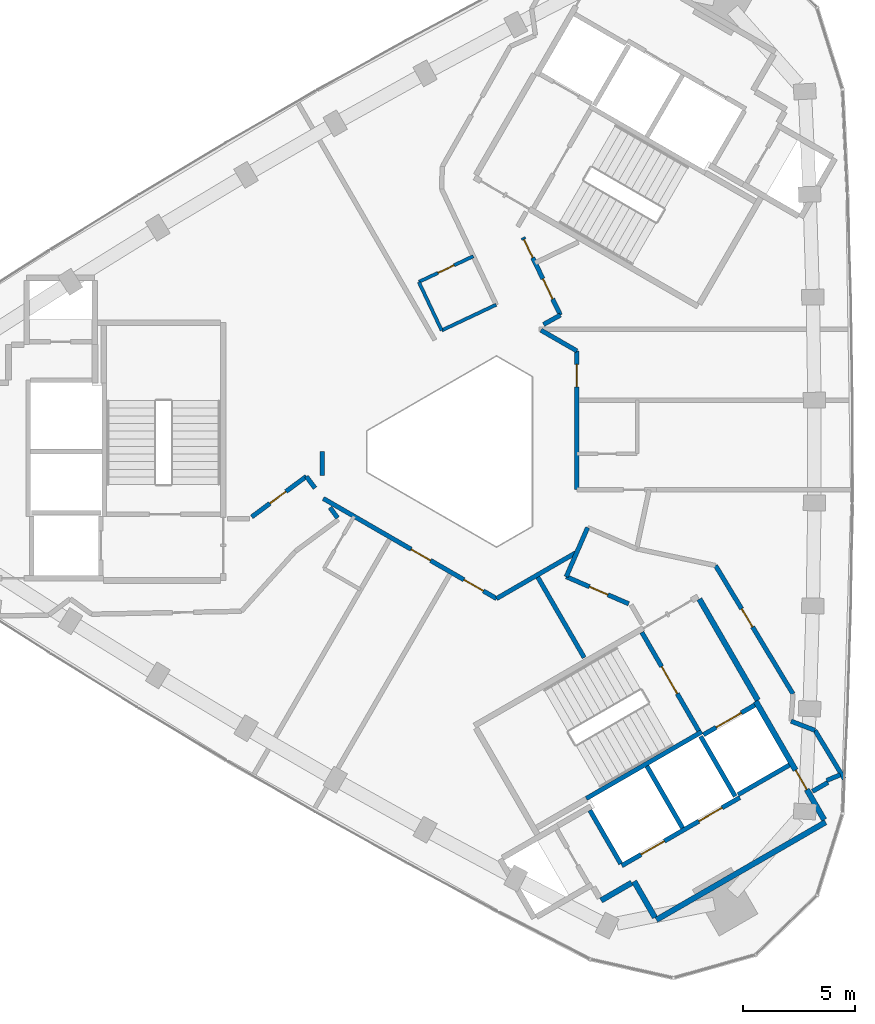
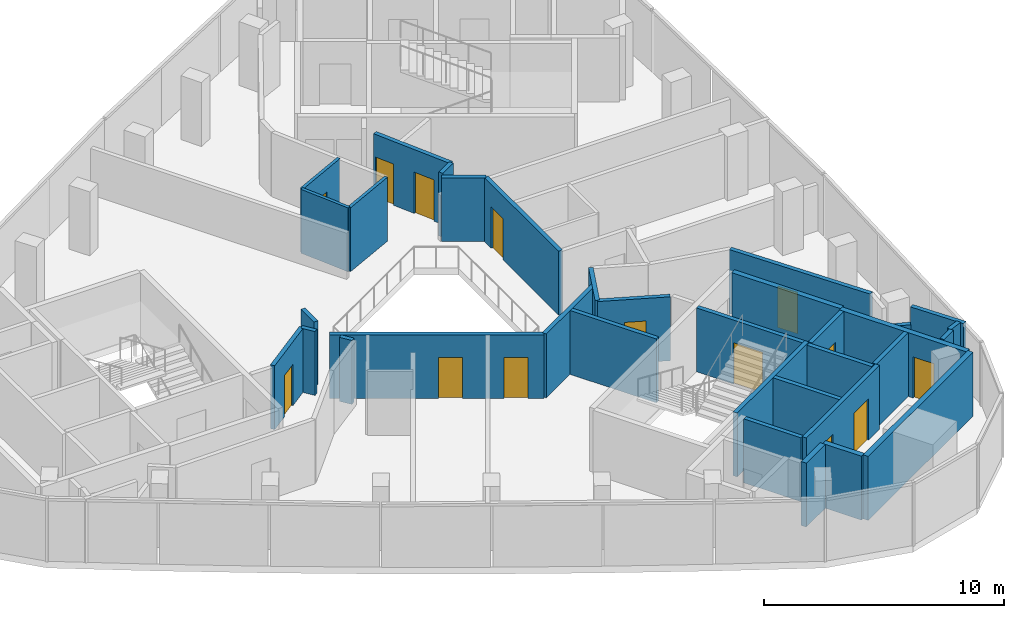
# One storey, part 7 of 10: 34 walls, 14 doors, 14 openings.
"""IFC4 building model written with IfcOpenShell, lengths in metres."""

from ifc_helpers import new_model, si_unit, direction, frame, frame_2d, origin, place, context, subcontext, project, spatial, rectangle, extrude, material, layer, layer_set, type_object, element, fill, save


model = new_model("IFC4")

# Units and contexts
model_context = context("Model", 3, precision=1e-05, world=origin(), true_north=direction((0.0, 1.0)))
body_context = subcontext(model_context, "Body", "Model", "MODEL_VIEW")
ifc_project = project(units=[si_unit("LENGTHUNIT", "METRE"), si_unit("AREAUNIT", "SQUARE_METRE"), si_unit("VOLUMEUNIT", "CUBIC_METRE"), si_unit("PLANEANGLEUNIT", "RADIAN"), si_unit("MASSUNIT", "GRAM", prefix="KILO")], contexts=[model_context])

# Site, building, storey
site_placement = place(None, origin())
site = spatial("IfcSite", under=ifc_project, at=site_placement, CompositionType="ELEMENT")
building_placement = place(site_placement, origin())
building = spatial("IfcBuilding", under=site, at=building_placement, Name="Tamra Quay Hotel Tower", CompositionType="ELEMENT")
storey_placement = place(building_placement, frame((0.0, 0.0, 265.800048828125)))
storey = spatial("IfcBuildingStorey", under=building, at=storey_placement, Name="L67", CompositionType="ELEMENT", Elevation=265.800048828125)

# Wall
ifc_material_1 = material(Name="Concrete M70", Category="concrete")
ifc_layer_1 = layer(ifc_material_1, 0.199951171875)
ifc_layer_set_1 = layer_set([ifc_layer_1], Name="Concrete M70 core wall 200")
wall_type_1 = type_object("IfcWallType", Name="Concrete M70 core wall 200", PredefinedType="SHEAR", material=ifc_layer_set_1)
wall_1_placement = place(storey_placement, frame((5.4189453125, -15.533935546875, 0.0), z_axis=(0.0, 0.0, 1.0), x_axis=(0.866029065029, 0.499993658486, 0.0)))
element("IfcWall", 1, at=wall_1_placement, inside=storey, type_object=wall_type_1, Name="CW2", PredefinedType="SHEAR", context=body_context, shape_type="SweptSolid", body=[
    extrude(rectangle(XDim=5.97412109375, YDim=0.199951171875, at=frame_2d((2.987060546875, 0.0))), origin(), (0.0, 0.0, 1.0), 3.25),
])

# Wall, openings, doors
wall_2_placement = place(storey_placement, frame((7.009765625, -18.54150390625, 0.0), z_axis=(0.0, 0.0, 1.0), x_axis=(0.866030299012, 0.499991521122, 0.0)))
wall_2 = element("IfcWall", 2, at=wall_2_placement, inside=storey, type_object=wall_type_1, Name="CW2", PredefinedType="SHEAR", context=body_context, shape_type="SweptSolid", body=[
    extrude(rectangle(XDim=6.10009765625, YDim=0.199951171875, at=frame_2d((3.050048828125, 0.0))), origin(), (0.0, 0.0, 1.0), 3.25),
])
opening_1_placement = place(wall_2_placement, frame((1.0, 0.0, 0.0)))
opening_1 = element("IfcOpeningElement", 3, at=opening_1_placement, cuts=wall_2, Name="Opening LD", PredefinedType="OPENING", context=body_context, shape_type="SweptSolid", body=[
    extrude(rectangle(XDim=1.199951171875, YDim=2.10009765625, at=frame_2d((0.60009765625, 1.050048828125))), frame((0.0, 0.10986328125, 0.0), z_axis=(0.0, -1.0, 0.0), x_axis=(1.0, 0.0, 0.0)), (0.0, 0.0, 1.0), 0.219970703125),
])
opening_2_placement = place(wall_2_placement, frame((3.982177734375, 0.0, 0.0)))
opening_2 = element("IfcOpeningElement", 4, at=opening_2_placement, cuts=wall_2, Name="Opening LD", PredefinedType="OPENING", context=body_context, shape_type="SweptSolid", body=[
    extrude(rectangle(XDim=1.199951171875, YDim=2.10009765625, at=frame_2d((0.60009765625, 1.050048828125))), frame((0.0, 0.10986328125, 0.0), z_axis=(0.0, -1.0, 0.0), x_axis=(1.0, 0.0, 0.0)), (0.0, 0.0, 1.0), 0.219970703125),
])
ifc_material_2 = material(Name="Landing door LD 1200 double door sliding")
door_type_1 = type_object("IfcDoorType", Name="Landing door LD 1200 double door sliding", OperationType="DOUBLE_DOOR_SLIDING", PredefinedType="DOOR", material=ifc_material_2)
door_1_placement = place(opening_1_placement, origin())
door_1 = element("IfcDoor", 5, at=door_1_placement, inside=storey, type_object=door_type_1, Name="LD", OperationType="DOUBLE_DOOR_SLIDING", OverallHeight=2.10009765625, OverallWidth=1.199951171875, PredefinedType="DOOR", context=body_context, shape_type="SweptSolid", body=[
    extrude(rectangle(XDim=1.199951171875, YDim=2.10009765625, at=frame_2d((0.60009765625, 1.050048828125))), frame((0.0, 0.02490234375, 0.0), z_axis=(0.0, -1.0, 0.0), x_axis=(1.0, 0.0, 0.0)), (0.0, 0.0, 1.0), 0.050048828125),
])
fill(opening_1, door_1)
door_2_placement = place(opening_2_placement, origin())
door_2 = element("IfcDoor", 6, at=door_2_placement, inside=storey, type_object=door_type_1, Name="LD", OperationType="DOUBLE_DOOR_SLIDING", OverallHeight=2.10009765625, OverallWidth=1.199951171875, PredefinedType="DOOR", context=body_context, shape_type="SweptSolid", body=[
    extrude(rectangle(XDim=1.199951171875, YDim=2.10009765625, at=frame_2d((0.60009765625, 1.050048828125))), frame((0.0, 0.02490234375, 0.0), z_axis=(0.0, -1.0, 0.0), x_axis=(1.0, 0.0, 0.0)), (0.0, 0.0, 1.0), 0.050048828125),
])
fill(opening_2, door_2)

# Wall, opening, door
wall_3_placement = place(storey_placement, frame((7.906494140625, -8.094482421875, 0.0), z_axis=(0.0, 0.0, 1.0), x_axis=(0.500027839223, -0.866009330205, 0.0)))
wall_3 = element("IfcWall", 7, at=wall_3_placement, inside=storey, type_object=wall_type_1, Name="CW2", PredefinedType="SHEAR", context=body_context, shape_type="SweptSolid", body=[
    extrude(rectangle(XDim=5.097900390625, YDim=0.199951171875, at=frame_2d((2.548828125, 0.0))), origin(), (0.0, 0.0, 1.0), 3.25),
])
opening_3_placement = place(wall_3_placement, frame((1.77392578125, 0.0, 0.0)))
opening_3 = element("IfcOpeningElement", 8, at=opening_3_placement, cuts=wall_3, Name="Opening FD2", PredefinedType="OPENING", context=body_context, shape_type="SweptSolid", body=[
    extrude(rectangle(XDim=1.39990234375, YDim=2.10009765625, at=frame_2d((0.699951171875, 1.050048828125))), frame((0.0, 0.10986328125, 0.0), z_axis=(0.0, -1.0, 0.0), x_axis=(1.0, 0.0, 0.0)), (0.0, 0.0, 1.0), 0.219970703125),
])
ifc_material_3 = material(Name="Core door FD2 1400x2100 LH")
door_type_2 = type_object("IfcDoorType", Name="Core door FD2 1400x2100 LH", OperationType="NOTDEFINED", PredefinedType="DOOR", material=ifc_material_3)
door_3_placement = place(opening_3_placement, origin())
door_3 = element("IfcDoor", 9, at=door_3_placement, inside=storey, type_object=door_type_2, Name="FD2", OperationType="SINGLE_SWING_LEFT", OverallHeight=2.10009765625, OverallWidth=1.39990234375, PredefinedType="DOOR", context=body_context, shape_type="SweptSolid", body=[
    extrude(rectangle(XDim=1.39990234375, YDim=2.10009765625, at=frame_2d((0.699951171875, 1.050048828125))), frame((0.0, 0.02490234375, 0.0), z_axis=(0.0, -1.0, 0.0), x_axis=(1.0, 0.0, 0.0)), (0.0, 0.0, 1.0), 0.050048828125),
])
fill(opening_3, door_3)

# Walls
wall_4_placement = place(storey_placement, frame((8.131591796875, -14.084228515625, 0.0), z_axis=(0.0, 0.0, 1.0), x_axis=(0.499997778408, -0.866026686418, 0.0)))
element("IfcWall", 10, at=wall_4_placement, inside=storey, type_object=wall_type_1, Name="CW2", PredefinedType="SHEAR", context=body_context, shape_type="SweptSolid", body=[
    extrude(rectangle(XDim=3.1982421875, YDim=0.199951171875, at=frame_2d((1.59912109375, 0.0))), origin(), (0.0, 0.0, 1.0), 3.25),
])
wall_5_placement = place(storey_placement, frame((6.959716796875, -18.455078125, 0.0), z_axis=(0.0, 0.0, 1.0), x_axis=(-0.499926705758, 0.866067716099, 0.0)))
element("IfcWall", 11, at=wall_5_placement, inside=storey, type_object=wall_type_1, Name="CW2", PredefinedType="SHEAR", context=body_context, shape_type="SweptSolid", body=[
    extrude(rectangle(XDim=2.75927734375, YDim=0.199951171875, at=frame_2d((1.379638671875, 0.0))), origin(), (0.0, 0.0, 1.0), 3.25),
])
wall_6_placement = place(storey_placement, frame((12.087646484375, -15.4365234375, 0.0), z_axis=(0.0, 0.0, 1.0), x_axis=(-0.500026960575, 0.86600983753, 0.0)))
element("IfcWall", 12, at=wall_6_placement, inside=storey, type_object=wall_type_1, Name="CW2", PredefinedType="SHEAR", context=body_context, shape_type="SweptSolid", body=[
    extrude(rectangle(XDim=3.099853515625, YDim=0.199951171875, at=frame_2d((1.5498046875, 0.0))), origin(), (0.0, 0.0, 1.0), 3.25),
])

# Wall, opening, door
wall_7_placement = place(storey_placement, frame((10.666015625, -12.677734375, 0.0), z_axis=(0.0, 0.0, 1.0), x_axis=(0.866018407898, 0.500012117035, 0.0)))
wall_7 = element("IfcWall", 13, at=wall_7_placement, inside=storey, type_object=wall_type_1, Name="CW2", PredefinedType="SHEAR", context=body_context, shape_type="SweptSolid", body=[
    extrude(rectangle(XDim=2.65087890625, YDim=0.199951171875, at=frame_2d((1.325439453125, 0.0))), origin(), (0.0, 0.0, 1.0), 3.25),
])
opening_4_placement = place(wall_7_placement, frame((0.65185546875, 0.0, 0.0)))
opening_4 = element("IfcOpeningElement", 14, at=opening_4_placement, cuts=wall_7, Name="Opening LD", PredefinedType="OPENING", context=body_context, shape_type="SweptSolid", body=[
    extrude(rectangle(XDim=1.300048828125, YDim=2.10009765625, at=frame_2d((0.64990234375, 1.050048828125))), frame((0.0, 0.10986328125, 0.0), z_axis=(0.0, -1.0, 0.0), x_axis=(1.0, 0.0, 0.0)), (0.0, 0.0, 1.0), 0.219970703125),
])
ifc_material_4 = material(Name="Landing door LD 1300 sliding to left")
door_type_3 = type_object("IfcDoorType", Name="Landing door LD 1300 sliding to left", OperationType="NOTDEFINED", PredefinedType="DOOR", material=ifc_material_4)
door_4_placement = place(opening_4_placement, origin())
door_4 = element("IfcDoor", 15, at=door_4_placement, inside=storey, type_object=door_type_3, Name="LD", OperationType="SLIDING_TO_LEFT", OverallHeight=2.10009765625, OverallWidth=1.300048828125, PredefinedType="DOOR", context=body_context, shape_type="SweptSolid", body=[
    extrude(rectangle(XDim=1.300048828125, YDim=2.10009765625, at=frame_2d((0.64990234375, 1.050048828125))), frame((0.0, 0.02490234375, 0.0), z_axis=(0.0, -1.0, 0.0), x_axis=(1.0, 0.0, 0.0)), (0.0, 0.0, 1.0), 0.050048828125),
])
fill(opening_4, door_4)

# Walls
wall_8_placement = place(storey_placement, frame((14.51171875, -14.037109375, 0.0), z_axis=(0.0, 0.0, 1.0), x_axis=(-0.866018407898, -0.500012117035, 0.0)))
element("IfcWall", 16, at=wall_8_placement, inside=storey, type_object=wall_type_1, Name="CW2", PredefinedType="SHEAR", context=body_context, shape_type="SweptSolid", body=[
    extrude(rectangle(XDim=2.65087890625, YDim=0.199951171875, at=frame_2d((1.325439453125, 0.0))), origin(), (0.0, 0.0, 1.0), 3.25),
])
ifc_layer_2 = layer(ifc_material_1, 0.25)
ifc_layer_set_2 = layer_set([ifc_layer_2], Name="Concrete M70 core wall 250")
wall_type_2 = type_object("IfcWallType", Name="Concrete M70 core wall 250", PredefinedType="SHEAR", material=ifc_layer_set_2)
wall_9_placement = place(storey_placement, frame((16.13330078125, -16.59375, 0.0), z_axis=(0.0, 0.0, 1.0), x_axis=(-0.866022959057, -0.500004234368, 0.0)))
element("IfcWall", 17, at=wall_9_placement, inside=storey, type_object=wall_type_2, Name="CW1", PredefinedType="SHEAR", context=body_context, shape_type="SweptSolid", body=[
    extrude(rectangle(XDim=8.75, YDim=0.25, at=frame_2d((4.375, 0.0))), origin(), (0.0, 0.0, 1.0), 3.25),
])

# Wall, opening, door
wall_10_placement = place(storey_placement, frame((13.00830078125, -11.18115234375, 0.0), z_axis=(0.0, 0.0, 1.0), x_axis=(0.500001955336, -0.866024274868, 0.0)))
wall_10 = element("IfcWall", 18, at=wall_10_placement, inside=storey, type_object=wall_type_2, Name="CW1", PredefinedType="SHEAR", context=body_context, shape_type="SweptSolid", body=[
    extrude(rectangle(XDim=6.12451171875, YDim=0.25, at=frame_2d((3.062255859375, 0.0))), origin(), (0.0, 0.0, 1.0), 3.25),
])
opening_5_placement = place(wall_10_placement, frame((3.562744140625, 0.0, 0.0)))
opening_5 = element("IfcOpeningElement", 19, at=opening_5_placement, cuts=wall_10, Name="Opening FD3", PredefinedType="OPENING", context=body_context, shape_type="SweptSolid", body=[
    extrude(rectangle(XDim=1.0, YDim=2.10009765625, at=frame_2d((0.5, 1.050048828125))), frame((0.0, 0.135009765625, 0.0), z_axis=(0.0, -1.0, 0.0), x_axis=(1.0, 0.0, 0.0)), (0.0, 0.0, 1.0), 0.27001953125),
])
ifc_material_5 = material(Name="Core door FD3 1000x2100 LH")
door_type_4 = type_object("IfcDoorType", Name="Core door FD3 1000x2100 LH", OperationType="NOTDEFINED", PredefinedType="DOOR", material=ifc_material_5)
door_5_placement = place(opening_5_placement, origin())
door_5 = element("IfcDoor", 20, at=door_5_placement, inside=storey, type_object=door_type_4, Name="FD3", OperationType="SINGLE_SWING_LEFT", OverallHeight=2.10009765625, OverallWidth=1.0, PredefinedType="DOOR", context=body_context, shape_type="SweptSolid", body=[
    extrude(rectangle(XDim=1.0, YDim=2.10009765625, at=frame_2d((0.5, 1.050048828125))), frame((0.0, 0.02490234375, 0.0), z_axis=(0.0, -1.0, 0.0), x_axis=(1.0, 0.0, 0.0)), (0.0, 0.0, 1.0), 0.050048828125),
])
fill(opening_5, door_5)

# Walls
wall_11_placement = place(storey_placement, frame((10.482666015625, -6.6064453125, 0.0), z_axis=(0.0, 0.0, 1.0), x_axis=(0.49999885962, -0.866026062182, 0.0)))
element("IfcWall", 21, at=wall_11_placement, inside=storey, type_object=wall_type_2, Name="CW1", PredefinedType="SHEAR", context=body_context, shape_type="SweptSolid", body=[
    extrude(rectangle(XDim=5.224609375, YDim=0.25, at=frame_2d((2.6123046875, 0.0))), origin(), (0.0, 0.0, 1.0), 3.25),
])
wall_12_placement = place(storey_placement, frame((8.492919921875, -20.860107421875, 0.0), z_axis=(0.0, 0.0, 1.0), x_axis=(-0.500039802285, 0.866002422705, 0.0)))
element("IfcWall", 22, at=wall_12_placement, inside=storey, type_object=wall_type_2, Name="CW1", PredefinedType="SHEAR", context=body_context, shape_type="SweptSolid", body=[
    extrude(rectangle(XDim=1.864501953125, YDim=0.25, at=frame_2d((0.93212890625, 0.0))), origin(), (0.0, 0.0, 1.0), 3.25),
])
wall_13_placement = place(storey_placement, frame((7.451904296875, -19.30810546875, 0.0), z_axis=(0.0, 0.0, 1.0), x_axis=(-0.866044474677, -0.49996696679, 0.0)))
element("IfcWall", 23, at=wall_13_placement, inside=storey, type_object=wall_type_2, Name="CW1", PredefinedType="SHEAR", context=body_context, shape_type="SweptSolid", body=[
    extrude(rectangle(XDim=1.58447265625, YDim=0.25, at=frame_2d((0.792236328125, 0.0))), origin(), (0.0, 0.0, 1.0), 3.25),
])

# Wall, opening, door
ifc_material_6 = material(Name="Partition corridor wall")
ifc_layer_3 = layer(ifc_material_6, 0.199951171875)
ifc_layer_set_3 = layer_set([ifc_layer_3], Name="Partition corridor wall")
wall_type_3 = type_object("IfcWallType", Name="Partition corridor wall", PredefinedType="PARTITIONING", material=ifc_layer_set_3)
wall_14_placement = place(storey_placement, frame((-7.114990234375, -1.114990234375, 0.0), z_axis=(0.0, 0.0, 1.0), x_axis=(-0.803344165632, -0.595515030495, 0.0)))
wall_14 = element("IfcWall", 24, at=wall_14_placement, inside=storey, type_object=wall_type_3, Name="W-C", PredefinedType="PARTITIONING", context=body_context, shape_type="SweptSolid", body=[
    extrude(rectangle(XDim=3.046142578125, YDim=0.199951171875, at=frame_2d((1.52294921875, 0.0))), origin(), (0.0, 0.0, 1.0), 3.25),
])
opening_6_placement = place(wall_14_placement, frame((1.1328125, 0.0, 0.0)))
opening_6 = element("IfcOpeningElement", 25, at=opening_6_placement, cuts=wall_14, Name="Opening L67-D010", PredefinedType="OPENING", context=body_context, shape_type="SweptSolid", body=[
    extrude(rectangle(XDim=0.89990234375, YDim=2.10009765625, at=frame_2d((0.449951171875, 1.050048828125))), frame((0.0, 0.10986328125, 0.0), z_axis=(0.0, -1.0, 0.0), x_axis=(1.0, 0.0, 0.0)), (0.0, 0.0, 1.0), 0.219970703125),
])
ifc_material_7 = material(Name="Door service room 900x2100")
door_type_5 = type_object("IfcDoorType", Name="Door service room 900x2100", OperationType="NOTDEFINED", PredefinedType="DOOR", material=ifc_material_7)
door_6_placement = place(opening_6_placement, origin())
door_6 = element("IfcDoor", 26, at=door_6_placement, inside=storey, type_object=door_type_5, Name="L67-D010", OperationType="SINGLE_SWING_LEFT", OverallHeight=2.10009765625, OverallWidth=0.89990234375, PredefinedType="DOOR", context=body_context, shape_type="SweptSolid", body=[
    extrude(rectangle(XDim=0.89990234375, YDim=2.10009765625, at=frame_2d((0.449951171875, 1.050048828125))), frame((0.0, 0.02490234375, 0.0), z_axis=(0.0, -1.0, 0.0), x_axis=(1.0, 0.0, 0.0)), (0.0, 0.0, 1.0), 0.050048828125),
])
fill(opening_6, door_6)

# Walls
wall_15_placement = place(storey_placement, frame((-7.114013671875, -1.114990234375, 0.0), z_axis=(0.0, 0.0, 1.0), x_axis=(0.595075286625, -0.803669959155, 0.0)))
element("IfcWall", 27, at=wall_15_placement, inside=storey, type_object=wall_type_3, Name="W-C", PredefinedType="PARTITIONING", context=body_context, shape_type="SweptSolid", body=[
    extrude(rectangle(XDim=0.65185546875, YDim=0.199951171875, at=frame_2d((0.325927734375, 0.0))), origin(), (0.0, 0.0, 1.0), 3.25),
])
wall_16_placement = place(storey_placement, frame((-6.39990234375, -1.073974609375, 0.0), z_axis=(0.0, 0.0, 1.0), x_axis=(0.0, 1.0, 0.0)))
element("IfcWall", 28, at=wall_16_placement, inside=storey, type_object=wall_type_3, Name="W-C", PredefinedType="PARTITIONING", context=body_context, shape_type="SweptSolid", body=[
    extrude(rectangle(XDim=1.073974609375, YDim=0.199951171875, at=frame_2d((0.537109375, 0.0))), origin(), (0.0, 0.0, 1.0), 3.25),
])
wall_17_placement = place(storey_placement, frame((-6.05712890625, -2.506591796875, 0.0), z_axis=(0.0, 0.0, 1.0), x_axis=(0.594974339713, -0.803744695213, 0.0)))
element("IfcWall", 29, at=wall_17_placement, inside=storey, type_object=wall_type_3, Name="W-C", PredefinedType="PARTITIONING", context=body_context, shape_type="SweptSolid", body=[
    extrude(rectangle(XDim=0.576416015625, YDim=0.199951171875, at=frame_2d((0.2880859375, 0.0))), origin(), (0.0, 0.0, 1.0), 3.25),
])

# Wall, openings, doors
wall_18_placement = place(storey_placement, frame((-6.35595703125, -2.10302734375, 0.0), z_axis=(0.0, 0.0, 1.0), x_axis=(0.865939059902, -0.50014952218, 0.0)))
wall_18 = element("IfcWall", 30, at=wall_18_placement, inside=storey, type_object=wall_type_3, Name="W-C", PredefinedType="PARTITIONING", context=body_context, shape_type="SweptSolid", body=[
    extrude(rectangle(XDim=8.956298828125, YDim=0.199951171875, at=frame_2d((4.47802734375, 0.0))), origin(), (0.0, 0.0, 1.0), 3.25),
])
opening_7_placement = place(wall_18_placement, frame((4.54638671875, 0.0, 0.0)))
opening_7 = element("IfcOpeningElement", 31, at=opening_7_placement, cuts=wall_18, Name="Opening L67-D013", PredefinedType="OPENING", context=body_context, shape_type="SweptSolid", body=[
    extrude(rectangle(XDim=1.0, YDim=2.10009765625, at=frame_2d((0.5, 1.050048828125))), frame((0.0, 0.10986328125, 0.0), z_axis=(0.0, -1.0, 0.0), x_axis=(1.0, 0.0, 0.0)), (0.0, 0.0, 1.0), 0.219970703125),
])
opening_8_placement = place(wall_18_placement, frame((7.275146484375, 0.0, 0.0)))
opening_8 = element("IfcOpeningElement", 32, at=opening_8_placement, cuts=wall_18, Name="Opening L67-D014", PredefinedType="OPENING", context=body_context, shape_type="SweptSolid", body=[
    extrude(rectangle(XDim=1.0, YDim=2.10009765625, at=frame_2d((0.5, 1.050048828125))), frame((0.0, 0.10986328125, 0.0), z_axis=(0.0, -1.0, 0.0), x_axis=(1.0, 0.0, 0.0)), (0.0, 0.0, 1.0), 0.219970703125),
])
ifc_material_8 = material(Name="Door guest room 1000x2100")
door_type_6 = type_object("IfcDoorType", Name="Door guest room 1000x2100", OperationType="NOTDEFINED", PredefinedType="DOOR", material=ifc_material_8)
door_7_placement = place(opening_7_placement, frame((1.0, 0.0, 0.0), z_axis=(0.0, 0.0, 1.0), x_axis=(-1.0, 0.0, 0.0)))
door_7 = element("IfcDoor", 33, at=door_7_placement, inside=storey, type_object=door_type_6, Name="L67-D013", OperationType="SINGLE_SWING_LEFT", OverallHeight=2.10009765625, OverallWidth=1.0, PredefinedType="DOOR", context=body_context, shape_type="SweptSolid", body=[
    extrude(rectangle(XDim=1.0, YDim=2.10009765625, at=frame_2d((0.5, 1.050048828125))), frame((0.0, 0.02490234375, 0.0), z_axis=(0.0, -1.0, 0.0), x_axis=(1.0, 0.0, 0.0)), (0.0, 0.0, 1.0), 0.050048828125),
])
fill(opening_7, door_7)
door_8_placement = place(opening_8_placement, frame((1.0, 0.0, 0.0), z_axis=(0.0, 0.0, 1.0), x_axis=(-1.0, 0.0, 0.0)))
door_8 = element("IfcDoor", 34, at=door_8_placement, inside=storey, type_object=door_type_6, Name="L67-D014", OperationType="SINGLE_SWING_LEFT", OverallHeight=2.10009765625, OverallWidth=1.0, PredefinedType="DOOR", context=body_context, shape_type="SweptSolid", body=[
    extrude(rectangle(XDim=1.0, YDim=2.10009765625, at=frame_2d((0.5, 1.050048828125))), frame((0.0, 0.02490234375, 0.0), z_axis=(0.0, -1.0, 0.0), x_axis=(1.0, 0.0, 0.0)), (0.0, 0.0, 1.0), 0.050048828125),
])
fill(opening_8, door_8)

# Wall
wall_19_placement = place(storey_placement, frame((1.400634765625, -6.5830078125, 0.0), z_axis=(0.0, 0.0, 1.0), x_axis=(0.865818713766, 0.500357826853, 0.0)))
element("IfcWall", 35, at=wall_19_placement, inside=storey, type_object=wall_type_3, Name="W-C", PredefinedType="PARTITIONING", context=body_context, shape_type="SweptSolid", body=[
    extrude(rectangle(XDim=4.1572265625, YDim=0.199951171875, at=frame_2d((2.07861328125, 0.0))), origin(), (0.0, 0.0, 1.0), 3.25),
])

# Wall, openings, doors
wall_20_placement = place(storey_placement, frame((4.259521484375, 6.109130859375, 0.0), z_axis=(0.0, 0.0, 1.0), x_axis=(-0.434189007872, 0.900821794498, 0.0)))
wall_20 = element("IfcWall", 36, at=wall_20_placement, inside=storey, type_object=wall_type_3, Name="W-C", PredefinedType="PARTITIONING", context=body_context, shape_type="SweptSolid", body=[
    extrude(rectangle(XDim=3.852783203125, YDim=0.199951171875, at=frame_2d((1.92626953125, 0.0))), origin(), (0.0, 0.0, 1.0), 3.25),
])
opening_9_placement = place(wall_20_placement, frame((2.852783203125, 0.0, 0.0)))
opening_9 = element("IfcOpeningElement", 37, at=opening_9_placement, cuts=wall_20, Name="Opening L67-D005", PredefinedType="OPENING", context=body_context, shape_type="SweptSolid", body=[
    extrude(rectangle(XDim=0.89990234375, YDim=2.10009765625, at=frame_2d((0.449951171875, 1.050048828125))), frame((0.0, 0.10986328125, 0.0), z_axis=(0.0, -1.0, 0.0), x_axis=(1.0, 0.0, 0.0)), (0.0, 0.0, 1.0), 0.219970703125),
])
opening_10_placement = place(wall_20_placement, frame((0.8037109375, 0.0, 0.0)))
opening_10 = element("IfcOpeningElement", 38, at=opening_10_placement, cuts=wall_20, Name="Opening L67-D006", PredefinedType="OPENING", context=body_context, shape_type="SweptSolid", body=[
    extrude(rectangle(XDim=1.0, YDim=2.10009765625, at=frame_2d((0.5, 1.050048828125))), frame((0.0, 0.10986328125, 0.0), z_axis=(0.0, -1.0, 0.0), x_axis=(1.0, 0.0, 0.0)), (0.0, 0.0, 1.0), 0.219970703125),
])
door_9_placement = place(opening_10_placement, origin())
door_9 = element("IfcDoor", 39, at=door_9_placement, inside=storey, type_object=door_type_6, Name="L67-D006", OperationType="SINGLE_SWING_LEFT", OverallHeight=2.10009765625, OverallWidth=1.0, PredefinedType="DOOR", context=body_context, shape_type="SweptSolid", body=[
    extrude(rectangle(XDim=1.0, YDim=2.10009765625, at=frame_2d((0.5, 1.050048828125))), frame((0.0, 0.02490234375, 0.0), z_axis=(0.0, -1.0, 0.0), x_axis=(1.0, 0.0, 0.0)), (0.0, 0.0, 1.0), 0.050048828125),
])
fill(opening_10, door_9)
door_10_placement = place(opening_9_placement, origin())
door_10 = element("IfcDoor", 40, at=door_10_placement, inside=storey, type_object=door_type_5, Name="L67-D005", OperationType="SINGLE_SWING_LEFT", OverallHeight=2.10009765625, OverallWidth=0.89990234375, PredefinedType="DOOR", context=body_context, shape_type="SweptSolid", body=[
    extrude(rectangle(XDim=0.89990234375, YDim=2.10009765625, at=frame_2d((0.449951171875, 1.050048828125))), frame((0.0, 0.02490234375, 0.0), z_axis=(0.0, -1.0, 0.0), x_axis=(1.0, 0.0, 0.0)), (0.0, 0.0, 1.0), 0.050048828125),
])
fill(opening_9, door_10)

# Walls
wall_21_placement = place(storey_placement, frame((3.389892578125, 5.43310546875, 0.0), z_axis=(0.0, 0.0, 1.0), x_axis=(0.866117799835, -0.499839931186, 0.0)))
element("IfcWall", 41, at=wall_21_placement, inside=storey, type_object=wall_type_3, Name="W-C", PredefinedType="PARTITIONING", context=body_context, shape_type="SweptSolid", body=[
    extrude(rectangle(XDim=1.85888671875, YDim=0.199951171875, at=frame_2d((0.929443359375, 0.0))), origin(), (0.0, 0.0, 1.0), 3.25),
])
wall_22_placement = place(storey_placement, frame((3.507080078125, 5.68994140625, 0.0), z_axis=(0.0, 0.0, 1.0), x_axis=(0.873567976284, 0.486702158215, 0.0)))
element("IfcWall", 42, at=wall_22_placement, inside=storey, type_object=wall_type_3, Name="W-C", PredefinedType="PARTITIONING", context=body_context, shape_type="SweptSolid", body=[
    extrude(rectangle(XDim=0.86083984375, YDim=0.199951171875, at=frame_2d((0.430419921875, 0.0))), origin(), (0.0, 0.0, 1.0), 3.25),
])
wall_23_placement = place(storey_placement, frame((4.52294921875, -5.60400390625, 0.0), z_axis=(0.0, 0.0, 1.0), x_axis=(0.398033282066, 0.917370975324, 0.0)))
element("IfcWall", 43, at=wall_23_placement, inside=storey, type_object=wall_type_3, Name="W-C", PredefinedType="PARTITIONING", context=body_context, shape_type="SweptSolid", body=[
    extrude(rectangle(XDim=2.39697265625, YDim=0.199951171875, at=frame_2d((1.198486328125, 0.0))), origin(), (0.0, 0.0, 1.0), 3.25),
])

# Wall, opening, door
wall_24_placement = place(storey_placement, frame((4.52294921875, -5.60400390625, 0.0), z_axis=(0.0, 0.0, 1.0), x_axis=(0.917390838441, -0.397987499231, 0.0)))
wall_24 = element("IfcWall", 44, at=wall_24_placement, inside=storey, type_object=wall_type_3, Name="W-C", PredefinedType="PARTITIONING", context=body_context, shape_type="SweptSolid", body=[
    extrude(rectangle(XDim=3.04638671875, YDim=0.199951171875, at=frame_2d((1.523193359375, 0.0))), origin(), (0.0, 0.0, 1.0), 3.25),
])
opening_11_placement = place(wall_24_placement, frame((1.1328125, 0.0, 0.0)))
opening_11 = element("IfcOpeningElement", 45, at=opening_11_placement, cuts=wall_24, Name="Opening L67-D001", PredefinedType="OPENING", context=body_context, shape_type="SweptSolid", body=[
    extrude(rectangle(XDim=0.89990234375, YDim=2.10009765625, at=frame_2d((0.449951171875, 1.050048828125))), frame((0.0, 0.10986328125, 0.0), z_axis=(0.0, -1.0, 0.0), x_axis=(1.0, 0.0, 0.0)), (0.0, 0.0, 1.0), 0.219970703125),
])
door_11_placement = place(opening_11_placement, frame((0.89990234375, 0.0, 0.0), z_axis=(0.0, 0.0, 1.0), x_axis=(-1.0, 0.0, 0.0)))
door_11 = element("IfcDoor", 46, at=door_11_placement, inside=storey, type_object=door_type_5, Name="L67-D001", OperationType="SINGLE_SWING_LEFT", OverallHeight=2.10009765625, OverallWidth=0.89990234375, PredefinedType="DOOR", context=body_context, shape_type="SweptSolid", body=[
    extrude(rectangle(XDim=0.89990234375, YDim=2.10009765625, at=frame_2d((0.449951171875, 1.050048828125))), frame((0.0, 0.02490234375, 0.0), z_axis=(0.0, -1.0, 0.0), x_axis=(1.0, 0.0, 0.0)), (0.0, 0.0, 1.0), 0.050048828125),
])
fill(opening_11, door_11)

wall_25_placement = place(storey_placement, frame((5.0, -1.70703125, 0.0), z_axis=(0.0, 0.0, 1.0), x_axis=(0.0, 1.0, 0.0)))
wall_25 = element("IfcWall", 47, at=wall_25_placement, inside=storey, type_object=wall_type_3, Name="W-C", PredefinedType="PARTITIONING", context=body_context, shape_type="SweptSolid", body=[
    extrude(rectangle(XDim=6.2109375, YDim=0.199951171875, at=frame_2d((3.10546875, 0.0))), origin(), (0.0, 0.0, 1.0), 3.25),
])
opening_12_placement = place(wall_25_placement, frame((4.60498046875, 0.0, 0.0)))
opening_12 = element("IfcOpeningElement", 48, at=opening_12_placement, cuts=wall_25, Name="Opening L67-D007", PredefinedType="OPENING", context=body_context, shape_type="SweptSolid", body=[
    extrude(rectangle(XDim=1.0, YDim=2.10009765625, at=frame_2d((0.5, 1.050048828125))), frame((0.0, 0.10986328125, 0.0), z_axis=(0.0, -1.0, 0.0), x_axis=(1.0, 0.0, 0.0)), (0.0, 0.0, 1.0), 0.219970703125),
])
door_12_placement = place(opening_12_placement, frame((1.0, 0.0, 0.0), z_axis=(0.0, 0.0, 1.0), x_axis=(-1.0, 0.0, 0.0)))
door_12 = element("IfcDoor", 49, at=door_12_placement, inside=storey, type_object=door_type_6, Name="L67-D007", OperationType="SINGLE_SWING_LEFT", OverallHeight=2.10009765625, OverallWidth=1.0, PredefinedType="DOOR", context=body_context, shape_type="SweptSolid", body=[
    extrude(rectangle(XDim=1.0, YDim=2.10009765625, at=frame_2d((0.5, 1.050048828125))), frame((0.0, 0.02490234375, 0.0), z_axis=(0.0, -1.0, 0.0), x_axis=(1.0, 0.0, 0.0)), (0.0, 0.0, 1.0), 0.050048828125),
])
fill(opening_12, door_12)

wall_26_placement = place(storey_placement, frame((11.205078125, -5.10498046875, 0.0), z_axis=(0.0, 0.0, 1.0), x_axis=(0.516682442017, -0.856177116087, 0.0)))
wall_26 = element("IfcWall", 50, at=wall_26_placement, inside=storey, type_object=wall_type_3, Name="W-C", PredefinedType="PARTITIONING", context=body_context, shape_type="SweptSolid", body=[
    extrude(rectangle(XDim=6.710205078125, YDim=0.199951171875, at=frame_2d((3.35498046875, 0.0))), origin(), (0.0, 0.0, 1.0), 3.25),
])
opening_13_placement = place(wall_26_placement, frame((2.259765625, 0.0, 0.0)))
opening_13 = element("IfcOpeningElement", 51, at=opening_13_placement, cuts=wall_26, Name="Opening L67-D002", PredefinedType="OPENING", context=body_context, shape_type="SweptSolid", body=[
    extrude(rectangle(XDim=0.949951171875, YDim=2.10009765625, at=frame_2d((0.47509765625, 1.050048828125))), frame((0.0, 0.10986328125, 0.0), z_axis=(0.0, -1.0, 0.0), x_axis=(1.0, 0.0, 0.0)), (0.0, 0.0, 1.0), 0.219970703125),
])
ifc_material_9 = material(Name="Door guest room 950x2100")
door_type_7 = type_object("IfcDoorType", Name="Door guest room 950x2100", OperationType="NOTDEFINED", PredefinedType="DOOR", material=ifc_material_9)
door_13_placement = place(opening_13_placement, origin())
door_13 = element("IfcDoor", 52, at=door_13_placement, inside=storey, type_object=door_type_7, Name="L67-D002", OperationType="SINGLE_SWING_LEFT", OverallHeight=2.10009765625, OverallWidth=0.949951171875, PredefinedType="DOOR", context=body_context, shape_type="SweptSolid", body=[
    extrude(rectangle(XDim=0.949951171875, YDim=2.10009765625, at=frame_2d((0.47509765625, 1.050048828125))), frame((0.0, 0.02490234375, 0.0), z_axis=(0.0, -1.0, 0.0), x_axis=(1.0, 0.0, 0.0)), (0.0, 0.0, 1.0), 0.050048828125),
])
fill(opening_13, door_13)

# Walls
wall_27_placement = place(storey_placement, frame((14.5869140625, -12.071044921875, 0.0), z_axis=(0.0, 0.0, 1.0), x_axis=(0.933192153307, -0.359377802606, 0.0)))
element("IfcWall", 53, at=wall_27_placement, inside=storey, type_object=wall_type_3, Name="W-C", PredefinedType="PARTITIONING", context=body_context, shape_type="SweptSolid", body=[
    extrude(rectangle(XDim=1.148681640625, YDim=0.199951171875, at=frame_2d((0.57421875, 0.0))), origin(), (0.0, 0.0, 1.0), 2.349853515625),
])
wall_28_placement = place(storey_placement, frame((15.5498046875, -15.213134765625, 0.0), z_axis=(0.0, 0.0, 1.0), x_axis=(0.865989998118, 0.500061319399, 0.0)))
element("IfcWall", 54, at=wall_28_placement, inside=storey, type_object=wall_type_3, Name="W-C", PredefinedType="PARTITIONING", context=body_context, shape_type="SweptSolid", body=[
    extrude(rectangle(XDim=0.7900390625, YDim=0.199951171875, at=frame_2d((0.39501953125, 0.0))), origin(), (0.0, 0.0, 1.0), 3.25),
])
wall_29_placement = place(storey_placement, frame((15.65869140625, -12.485107421875, 0.0), z_axis=(0.0, 0.0, 1.0), x_axis=(0.516729412104, -0.856148769003, 0.0)))
element("IfcWall", 55, at=wall_29_placement, inside=storey, type_object=wall_type_3, Name="W-C", PredefinedType="PARTITIONING", context=body_context, shape_type="SweptSolid", body=[
    extrude(rectangle(XDim=2.53759765625, YDim=0.199951171875, at=frame_2d((1.268798828125, 0.0))), origin(), (0.0, 0.0, 1.0), 3.25),
])
wall_30_placement = place(storey_placement, frame((16.181884765625, -14.72802734375, 0.0), z_axis=(0.0, 0.0, 1.0), x_axis=(0.922058491377, 0.387050563207, 0.0)))
element("IfcWall", 56, at=wall_30_placement, inside=storey, type_object=wall_type_3, Name="W-C", PredefinedType="PARTITIONING", context=body_context, shape_type="SweptSolid", body=[
    extrude(rectangle(XDim=0.66162109375, YDim=0.199951171875, at=frame_2d((0.330810546875, 0.0))), origin(), (0.0, 0.0, 1.0), 3.25),
])
ifc_material_10 = material(Name="Partition en-suite wall")
ifc_layer_4 = layer(ifc_material_10, 0.14990234375)
ifc_layer_set_4 = layer_set([ifc_layer_4], Name="Partition en-suite wall")
wall_type_4 = type_object("IfcWallType", Name="Partition en-suite wall", PredefinedType="PARTITIONING", material=ifc_layer_set_4)
wall_31_placement = place(storey_placement, frame((-2.077880859375, 7.590087890625, 0.0), z_axis=(0.0, 0.0, 1.0), x_axis=(0.426709924428, -0.904388545037, 0.0)))
element("IfcWall", 57, at=wall_31_placement, inside=storey, type_object=wall_type_4, Name="W-E", PredefinedType="PARTITIONING", context=body_context, shape_type="SweptSolid", body=[
    extrude(rectangle(XDim=2.39501953125, YDim=0.14990234375, at=frame_2d((1.197509765625, 0.0))), origin(), (0.0, 0.0, 1.0), 3.25),
])

# Wall, opening, door
wall_32_placement = place(storey_placement, frame((-2.076904296875, 7.593017578125, 0.0), z_axis=(0.0, 0.0, 1.0), x_axis=(0.904196218291, 0.427117312724, 0.0)))
wall_32 = element("IfcWall", 58, at=wall_32_placement, inside=storey, type_object=wall_type_4, Name="W-E", PredefinedType="PARTITIONING", context=body_context, shape_type="SweptSolid", body=[
    extrude(rectangle(XDim=2.697265625, YDim=0.14990234375, at=frame_2d((1.3486328125, 0.0))), origin(), (0.0, 0.0, 1.0), 3.25),
])
opening_14_placement = place(wall_32_placement, frame((0.947998046875, 0.0, 0.0)))
opening_14 = element("IfcOpeningElement", 59, at=opening_14_placement, cuts=wall_32, Name="Opening L67-D009", PredefinedType="OPENING", context=body_context, shape_type="SweptSolid", body=[
    extrude(rectangle(XDim=0.800048828125, YDim=2.10009765625, at=frame_2d((0.39990234375, 1.050048828125))), frame((0.0, 0.0849609375, 0.0), z_axis=(0.0, -1.0, 0.0), x_axis=(1.0, 0.0, 0.0)), (0.0, 0.0, 1.0), 0.169921875),
])
ifc_material_11 = material(Name="Door en-suite 800x2100")
door_type_8 = type_object("IfcDoorType", Name="Door en-suite 800x2100", OperationType="NOTDEFINED", PredefinedType="DOOR", material=ifc_material_11)
door_14_placement = place(opening_14_placement, origin())
door_14 = element("IfcDoor", 60, at=door_14_placement, inside=storey, type_object=door_type_8, Name="L67-D009", OperationType="SINGLE_SWING_LEFT", OverallHeight=2.10009765625, OverallWidth=0.800048828125, PredefinedType="DOOR", context=body_context, shape_type="SweptSolid", body=[
    extrude(rectangle(XDim=0.800048828125, YDim=2.10009765625, at=frame_2d((0.39990234375, 1.050048828125))), frame((0.0, 0.02490234375, 0.0), z_axis=(0.0, -1.0, 0.0), x_axis=(1.0, 0.0, 0.0)), (0.0, 0.0, 1.0), 0.050048828125),
])
fill(opening_14, door_14)

# Walls
wall_33_placement = place(storey_placement, frame((-1.052978515625, 5.423095703125, 0.0), z_axis=(0.0, 0.0, 1.0), x_axis=(0.904370950432, 0.426747213247, 0.0)))
element("IfcWall", 61, at=wall_33_placement, inside=storey, type_object=wall_type_4, Name="W-E", PredefinedType="PARTITIONING", context=body_context, shape_type="SweptSolid", body=[
    extrude(rectangle(XDim=2.69677734375, YDim=0.14990234375, at=frame_2d((1.348388671875, 0.0))), origin(), (0.0, 0.0, 1.0), 3.25),
])
ifc_material_12 = material(Name="Partition party wall")
ifc_layer_5 = layer(ifc_material_12, 0.199951171875)
ifc_layer_set_5 = layer_set([ifc_layer_5], Name="Partition party wall")
wall_type_5 = type_object("IfcWallType", Name="Partition party wall", PredefinedType="PARTITIONING", material=ifc_layer_set_5)
wall_34_placement = place(storey_placement, frame((3.199951171875, -5.54296875, 0.0), z_axis=(0.0, 0.0, 1.0), x_axis=(0.500060428066, -0.865990512813, 0.0)))
element("IfcWall", 62, at=wall_34_placement, inside=storey, type_object=wall_type_5, Name="W-P", PredefinedType="PARTITIONING", context=body_context, shape_type="SweptSolid", body=[
    extrude(rectangle(XDim=4.251953125, YDim=0.199951171875, at=frame_2d((2.1259765625, 0.0))), origin(), (0.0, 0.0, 1.0), 3.25),
])

save(model, "model.ifc")
